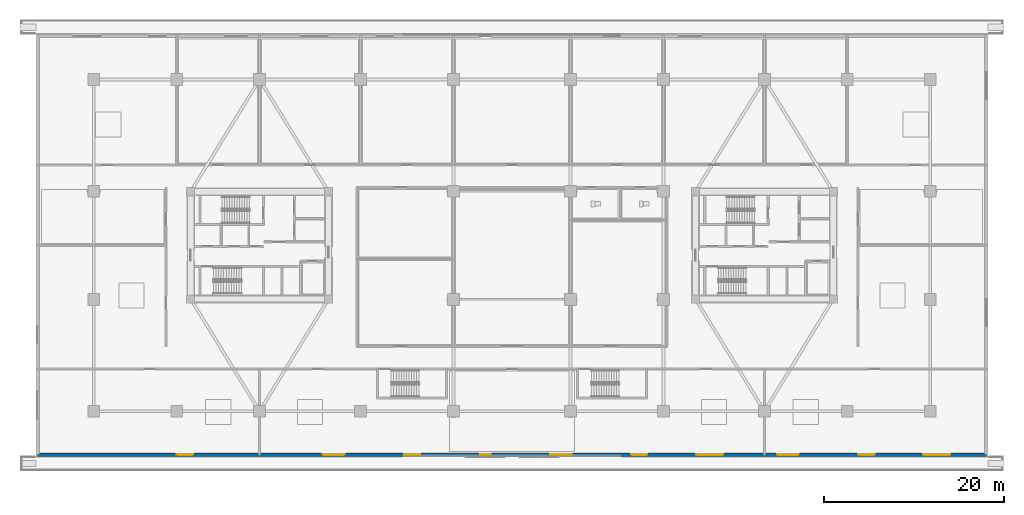
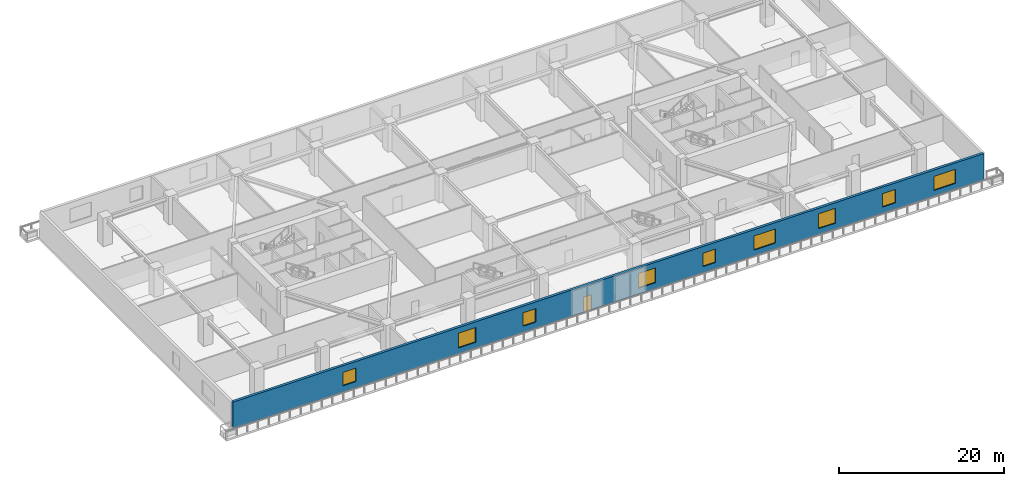
# One storey, part 6 of 22: 9 windows, 1 door, 1 wall, 10 openings.
"""IFC4 building model written with IfcOpenShell, lengths in metres."""

from ifc_helpers import new_model, si_unit, direction, frame, frame_2d, origin, place, context, subcontext, project, spatial, rectangle, extrude, source, transform, mapped, material, layer, layer_set, type_object, type_shapes, element, fill, save


model = new_model("IFC4")

# Units and contexts
model_context = context("Model", 3, precision=1e-05, world=origin(), true_north=direction((0.0, 1.0)))
body_context = subcontext(model_context, "Body", "Model", "MODEL_VIEW")
ifc_project = project(units=[si_unit("LENGTHUNIT", "METRE"), si_unit("AREAUNIT", "SQUARE_METRE"), si_unit("VOLUMEUNIT", "CUBIC_METRE"), si_unit("PLANEANGLEUNIT", "RADIAN"), si_unit("MASSUNIT", "GRAM", prefix="KILO")], contexts=[model_context])

# Site, building, storey
site_placement = place(None, origin())
site = spatial("IfcSite", under=ifc_project, at=site_placement, CompositionType="ELEMENT")
building_placement = place(site_placement, origin())
building = spatial("IfcBuilding", under=site, at=building_placement, Name="Norrkilde Senior Care Towers", CompositionType="ELEMENT")
storey_placement = place(building_placement, frame((0.0, 0.0, 4.199951171875)))
storey = spatial("IfcBuildingStorey", under=building, at=storey_placement, Name="L01", CompositionType="ELEMENT", Elevation=4.199951171875)

# Wall, openings, windows, door
ifc_material_1 = material(Name="Precast concrete C45/55", Category="concrete")
ifc_layer = layer(ifc_material_1, 0.360107421875)
ifc_layer_set = layer_set([ifc_layer], Name="Precast concrete C45/55")
wall_type = type_object("IfcWallType", Name="Podium Facade Wall 360", PredefinedType="SOLIDWALL", material=ifc_layer_set)
shared_shape_1 = source(origin(), body_context, "Body", "SweptSolid", [
    extrude(rectangle(XDim=105.240234375, YDim=0.360107421875, at=frame_2d((52.6201171875, 0.0))), origin(), (0.0, 0.0, 1.0), 3.880126953125),
])
type_shapes(wall_type, [shared_shape_1])
wall_placement = place(storey_placement, frame((52.6201171875, -23.219970703125, 0.0), z_axis=(0.0, 0.0, 1.0), x_axis=(-1.0, 0.0, 0.0)))
wall = element("IfcWall", 1, at=wall_placement, inside=storey, type_object=wall_type, Name="L01 Podium S Facade Wall", PredefinedType="SOLIDWALL", context=body_context, shape_type="MappedRepresentation", body=[
    mapped(shared_shape_1, transform((0.0, 0.0, 0.0), x_axis=(1.0, 0.0, 0.0), y_axis=(0.0, 1.0, 0.0), z_axis=(0.0, 0.0, 1.0), scale=1.0)),
])
opening_1_placement = place(wall_placement, frame((54.969970703125, 0.0, 0.0)))
opening_1 = element("IfcOpeningElement", 2, at=opening_1_placement, cuts=wall, Name="Opening D-09", PredefinedType="OPENING", context=body_context, shape_type="SweptSolid", body=[
    extrude(rectangle(XDim=1.14990234375, YDim=2.25, at=frame_2d((0.574951171875, 1.125))), frame((0.0, 0.18994140625, 0.0), z_axis=(0.0, -1.0, 0.0), x_axis=(1.0, 0.0, 0.0)), (0.0, 0.0, 1.0), 0.380126953125),
])
opening_2_placement = place(wall_placement, frame((4.0, 0.0, 0.85009765625)))
opening_2 = element("IfcOpeningElement", 3, at=opening_2_placement, cuts=wall, Name="Opening WN-02", PredefinedType="OPENING", context=body_context, shape_type="SweptSolid", body=[
    extrude(rectangle(XDim=3.0, YDim=2.10009765625, at=frame_2d((1.5, 1.050048828125))), frame((0.0, 0.18994140625, 0.0), z_axis=(0.0, -1.0, 0.0), x_axis=(1.0, 0.0, 0.0)), (0.0, 0.0, 1.0), 0.380126953125),
])
opening_3_placement = place(wall_placement, frame((12.39990234375, 0.0, 0.89990234375)))
opening_3 = element("IfcOpeningElement", 4, at=opening_3_placement, cuts=wall, Name="Opening WN-03", PredefinedType="OPENING", context=body_context, shape_type="SweptSolid", body=[
    extrude(rectangle(XDim=1.800048828125, YDim=2.0, at=frame_2d((0.89990234375, 1.0))), frame((0.0, 0.18994140625, 0.0), z_axis=(0.0, -1.0, 0.0), x_axis=(1.0, 0.0, 0.0)), (0.0, 0.0, 1.0), 0.380126953125),
])
opening_4_placement = place(wall_placement, frame((20.800048828125, 0.0, 0.85009765625)))
opening_4 = element("IfcOpeningElement", 5, at=opening_4_placement, cuts=wall, Name="Opening WN-01", PredefinedType="OPENING", context=body_context, shape_type="SweptSolid", body=[
    extrude(rectangle(XDim=2.39990234375, YDim=2.199951171875, at=frame_2d((1.199951171875, 1.10009765625))), frame((0.0, 0.18994140625, 0.0), z_axis=(0.0, -1.0, 0.0), x_axis=(1.0, 0.0, 0.0)), (0.0, 0.0, 1.0), 0.380126953125),
])
opening_5_placement = place(wall_placement, frame((29.199951171875, 0.0, 0.85009765625)))
opening_5 = element("IfcOpeningElement", 6, at=opening_5_placement, cuts=wall, Name="Opening WN-02", PredefinedType="OPENING", context=body_context, shape_type="SweptSolid", body=[
    extrude(rectangle(XDim=3.0, YDim=2.10009765625, at=frame_2d((1.5, 1.050048828125))), frame((0.0, 0.18994140625, 0.0), z_axis=(0.0, -1.0, 0.0), x_axis=(1.0, 0.0, 0.0)), (0.0, 0.0, 1.0), 0.380126953125),
])
opening_6_placement = place(wall_placement, frame((37.60009765625, 0.0, 0.89990234375)))
opening_6 = element("IfcOpeningElement", 7, at=opening_6_placement, cuts=wall, Name="Opening WN-03", PredefinedType="OPENING", context=body_context, shape_type="SweptSolid", body=[
    extrude(rectangle(XDim=1.800048828125, YDim=2.0, at=frame_2d((0.89990234375, 1.0))), frame((0.0, 0.18994140625, 0.0), z_axis=(0.0, -1.0, 0.0), x_axis=(1.0, 0.0, 0.0)), (0.0, 0.0, 1.0), 0.380126953125),
])
opening_7_placement = place(wall_placement, frame((46.0, 0.0, 0.85009765625)))
opening_7 = element("IfcOpeningElement", 8, at=opening_7_placement, cuts=wall, Name="Opening WN-01", PredefinedType="OPENING", context=body_context, shape_type="SweptSolid", body=[
    extrude(rectangle(XDim=2.39990234375, YDim=2.199951171875, at=frame_2d((1.199951171875, 1.10009765625))), frame((0.0, 0.18994140625, 0.0), z_axis=(0.0, -1.0, 0.0), x_axis=(1.0, 0.0, 0.0)), (0.0, 0.0, 1.0), 0.380126953125),
])
opening_8_placement = place(wall_placement, frame((62.800048828125, 0.0, 0.89990234375)))
opening_8 = element("IfcOpeningElement", 9, at=opening_8_placement, cuts=wall, Name="Opening WN-03", PredefinedType="OPENING", context=body_context, shape_type="SweptSolid", body=[
    extrude(rectangle(XDim=1.800048828125, YDim=2.0, at=frame_2d((0.89990234375, 1.0))), frame((0.0, 0.18994140625, 0.0), z_axis=(0.0, -1.0, 0.0), x_axis=(1.0, 0.0, 0.0)), (0.0, 0.0, 1.0), 0.380126953125),
])
opening_9_placement = place(wall_placement, frame((71.199951171875, 0.0, 0.85009765625)))
opening_9 = element("IfcOpeningElement", 10, at=opening_9_placement, cuts=wall, Name="Opening WN-01", PredefinedType="OPENING", context=body_context, shape_type="SweptSolid", body=[
    extrude(rectangle(XDim=2.39990234375, YDim=2.199951171875, at=frame_2d((1.199951171875, 1.10009765625))), frame((0.0, 0.18994140625, 0.0), z_axis=(0.0, -1.0, 0.0), x_axis=(1.0, 0.0, 0.0)), (0.0, 0.0, 1.0), 0.380126953125),
])
opening_10_placement = place(wall_placement, frame((88.0, 0.0, 0.89990234375)))
opening_10 = element("IfcOpeningElement", 11, at=opening_10_placement, cuts=wall, Name="Opening WN-03", PredefinedType="OPENING", context=body_context, shape_type="SweptSolid", body=[
    extrude(rectangle(XDim=1.800048828125, YDim=2.0, at=frame_2d((0.89990234375, 1.0))), frame((0.0, 0.18994140625, 0.0), z_axis=(0.0, -1.0, 0.0), x_axis=(1.0, 0.0, 0.0)), (0.0, 0.0, 1.0), 0.380126953125),
])
ifc_material_2 = material(Name="Triple Low-E Insulated Glazing", Category="glass")
window_type_1 = type_object("IfcWindowType", Name="Podium Clinic Triple Window 2400x2200", PartitioningType="SINGLE_PANEL", PredefinedType="WINDOW", material=ifc_material_2)
shared_shape_2 = source(origin(), body_context, "Body", "SweptSolid", [
    extrude(rectangle(XDim=2.39990234375, YDim=2.199951171875, at=frame_2d((1.199951171875, 1.10009765625))), frame((0.0, 0.030029296875, 0.0), z_axis=(0.0, -1.0, 0.0), x_axis=(1.0, 0.0, 0.0)), (0.0, 0.0, 1.0), 0.06005859375),
])
type_shapes(window_type_1, [shared_shape_2])
window_1_placement = place(opening_4_placement, origin())
window_1 = element("IfcWindow", 12, at=window_1_placement, inside=storey, type_object=window_type_1, Name="L01 S Window 03", OverallHeight=2.199951171875, OverallWidth=2.39990234375, PartitioningType="SINGLE_PANEL", PredefinedType="WINDOW", context=body_context, shape_type="MappedRepresentation", body=[
    mapped(shared_shape_2, transform((0.0, 0.0, 0.0), x_axis=(1.0, 0.0, 0.0), y_axis=(0.0, 1.0, 0.0), z_axis=(0.0, 0.0, 1.0), scale=1.0)),
])
fill(opening_4, window_1)
window_2_placement = place(opening_7_placement, origin())
window_2 = element("IfcWindow", 13, at=window_2_placement, inside=storey, type_object=window_type_1, Name="L01 S Window 06", OverallHeight=2.199951171875, OverallWidth=2.39990234375, PartitioningType="SINGLE_PANEL", PredefinedType="WINDOW", context=body_context, shape_type="MappedRepresentation", body=[
    mapped(shared_shape_2, transform((0.0, 0.0, 0.0), x_axis=(1.0, 0.0, 0.0), y_axis=(0.0, 1.0, 0.0), z_axis=(0.0, 0.0, 1.0), scale=1.0)),
])
fill(opening_7, window_2)
window_3_placement = place(opening_9_placement, origin())
window_3 = element("IfcWindow", 14, at=window_3_placement, inside=storey, type_object=window_type_1, Name="L01 S Window 09", OverallHeight=2.199951171875, OverallWidth=2.39990234375, PartitioningType="SINGLE_PANEL", PredefinedType="WINDOW", context=body_context, shape_type="MappedRepresentation", body=[
    mapped(shared_shape_2, transform((0.0, 0.0, 0.0), x_axis=(1.0, 0.0, 0.0), y_axis=(0.0, 1.0, 0.0), z_axis=(0.0, 0.0, 1.0), scale=1.0)),
])
fill(opening_9, window_3)
window_type_2 = type_object("IfcWindowType", Name="Podium Rehab Ribbon Window 3000x2100", PartitioningType="SINGLE_PANEL", PredefinedType="WINDOW", material=ifc_material_2)
shared_shape_3 = source(origin(), body_context, "Body", "SweptSolid", [
    extrude(rectangle(XDim=3.0, YDim=2.10009765625, at=frame_2d((1.5, 1.050048828125))), frame((0.0, 0.030029296875, 0.0), z_axis=(0.0, -1.0, 0.0), x_axis=(1.0, 0.0, 0.0)), (0.0, 0.0, 1.0), 0.06005859375),
])
type_shapes(window_type_2, [shared_shape_3])
window_4_placement = place(opening_2_placement, origin())
window_4 = element("IfcWindow", 15, at=window_4_placement, inside=storey, type_object=window_type_2, Name="L01 S Window 01", OverallHeight=2.10009765625, OverallWidth=3.0, PartitioningType="SINGLE_PANEL", PredefinedType="WINDOW", context=body_context, shape_type="MappedRepresentation", body=[
    mapped(shared_shape_3, transform((0.0, 0.0, 0.0), x_axis=(1.0, 0.0, 0.0), y_axis=(0.0, 1.0, 0.0), z_axis=(0.0, 0.0, 1.0), scale=1.0)),
])
fill(opening_2, window_4)
window_5_placement = place(opening_5_placement, origin())
window_5 = element("IfcWindow", 16, at=window_5_placement, inside=storey, type_object=window_type_2, Name="L01 S Window 04", OverallHeight=2.10009765625, OverallWidth=3.0, PartitioningType="SINGLE_PANEL", PredefinedType="WINDOW", context=body_context, shape_type="MappedRepresentation", body=[
    mapped(shared_shape_3, transform((0.0, 0.0, 0.0), x_axis=(1.0, 0.0, 0.0), y_axis=(0.0, 1.0, 0.0), z_axis=(0.0, 0.0, 1.0), scale=1.0)),
])
fill(opening_5, window_5)
window_type_3 = type_object("IfcWindowType", Name="Podium Therapy Garden Window 1800x2000", PartitioningType="SINGLE_PANEL", PredefinedType="WINDOW", material=ifc_material_2)
shared_shape_4 = source(origin(), body_context, "Body", "SweptSolid", [
    extrude(rectangle(XDim=1.800048828125, YDim=2.0, at=frame_2d((0.89990234375, 1.0))), frame((0.0, 0.030029296875, 0.0), z_axis=(0.0, -1.0, 0.0), x_axis=(1.0, 0.0, 0.0)), (0.0, 0.0, 1.0), 0.06005859375),
])
type_shapes(window_type_3, [shared_shape_4])
window_6_placement = place(opening_3_placement, origin())
window_6 = element("IfcWindow", 17, at=window_6_placement, inside=storey, type_object=window_type_3, Name="L01 S Window 02", OverallHeight=2.0, OverallWidth=1.800048828125, PartitioningType="SINGLE_PANEL", PredefinedType="WINDOW", context=body_context, shape_type="MappedRepresentation", body=[
    mapped(shared_shape_4, transform((0.0, 0.0, 0.0), x_axis=(1.0, 0.0, 0.0), y_axis=(0.0, 1.0, 0.0), z_axis=(0.0, 0.0, 1.0), scale=1.0)),
])
fill(opening_3, window_6)
window_7_placement = place(opening_6_placement, origin())
window_7 = element("IfcWindow", 18, at=window_7_placement, inside=storey, type_object=window_type_3, Name="L01 S Window 05", OverallHeight=2.0, OverallWidth=1.800048828125, PartitioningType="SINGLE_PANEL", PredefinedType="WINDOW", context=body_context, shape_type="MappedRepresentation", body=[
    mapped(shared_shape_4, transform((0.0, 0.0, 0.0), x_axis=(1.0, 0.0, 0.0), y_axis=(0.0, 1.0, 0.0), z_axis=(0.0, 0.0, 1.0), scale=1.0)),
])
fill(opening_6, window_7)
window_8_placement = place(opening_8_placement, origin())
window_8 = element("IfcWindow", 19, at=window_8_placement, inside=storey, type_object=window_type_3, Name="L01 S Window 08", OverallHeight=2.0, OverallWidth=1.800048828125, PartitioningType="SINGLE_PANEL", PredefinedType="WINDOW", context=body_context, shape_type="MappedRepresentation", body=[
    mapped(shared_shape_4, transform((0.0, 0.0, 0.0), x_axis=(1.0, 0.0, 0.0), y_axis=(0.0, 1.0, 0.0), z_axis=(0.0, 0.0, 1.0), scale=1.0)),
])
fill(opening_8, window_8)
window_9_placement = place(opening_10_placement, origin())
window_9 = element("IfcWindow", 20, at=window_9_placement, inside=storey, type_object=window_type_3, Name="L01 S Window 11", OverallHeight=2.0, OverallWidth=1.800048828125, PartitioningType="SINGLE_PANEL", PredefinedType="WINDOW", context=body_context, shape_type="MappedRepresentation", body=[
    mapped(shared_shape_4, transform((0.0, 0.0, 0.0), x_axis=(1.0, 0.0, 0.0), y_axis=(0.0, 1.0, 0.0), z_axis=(0.0, 0.0, 1.0), scale=1.0)),
])
fill(opening_10, window_9)
ifc_material_3 = material(Name="Anodised Aluminium", Category="aluminium")
door_type = type_object("IfcDoorType", Name="Terrace and Balcony Glazed Door 1150x2250", OperationType="NOTDEFINED", PredefinedType="DOOR", material=ifc_material_3)
shared_shape_5 = source(origin(), body_context, "Body", "SweptSolid", [
    extrude(rectangle(XDim=1.14990234375, YDim=2.25, at=frame_2d((0.574951171875, 1.125))), frame((0.0, 0.02490234375, 0.0), z_axis=(0.0, -1.0, 0.0), x_axis=(1.0, 0.0, 0.0)), (0.0, 0.0, 1.0), 0.050048828125),
])
type_shapes(door_type, [shared_shape_5])
door_placement = place(opening_1_placement, origin())
door = element("IfcDoor", 21, at=door_placement, inside=storey, type_object=door_type, Name="L01 South Cascading Garden Terrace Door", OperationType="SINGLE_SWING_RIGHT", OverallHeight=2.25, OverallWidth=1.14990234375, PredefinedType="DOOR", context=body_context, shape_type="MappedRepresentation", body=[
    mapped(shared_shape_5, transform((0.0, 0.0, 0.0), x_axis=(1.0, 0.0, 0.0), y_axis=(0.0, 1.0, 0.0), z_axis=(0.0, 0.0, 1.0), scale=1.0)),
])
fill(opening_1, door)

save(model, "model.ifc")
